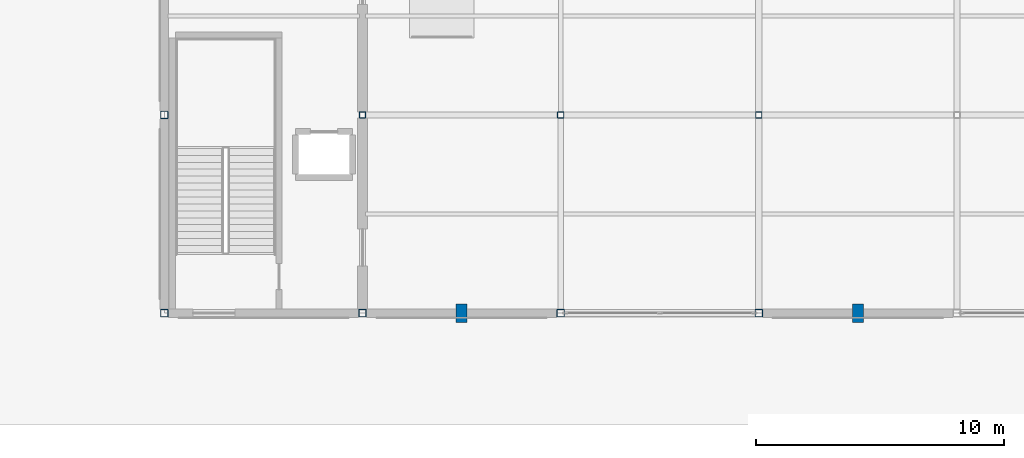
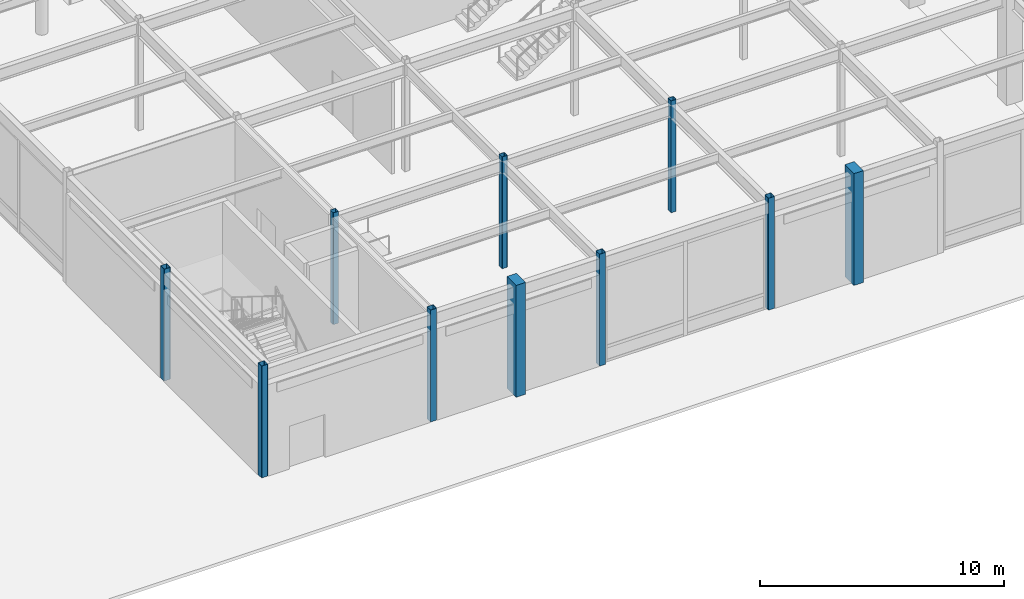
# One storey, part 1 of 128: 10 columns.
"""IFC4 building model written with IfcOpenShell, lengths in metres."""

from ifc_helpers import new_model, si_unit, direction, frame, origin, origin_2d, place, context, subcontext, project, spatial, rectangle, hollow_rectangle, extrude, material, material_profile, profile_set, type_object, element, save


model = new_model("IFC4")

# Units and contexts
model_context = context("Model", 3, precision=1e-05, world=origin(), true_north=direction((0.0, 1.0)))
body_context = subcontext(model_context, "Body", "Model", "MODEL_VIEW")
ifc_project = project(units=[si_unit("LENGTHUNIT", "METRE"), si_unit("AREAUNIT", "SQUARE_METRE"), si_unit("VOLUMEUNIT", "CUBIC_METRE"), si_unit("PLANEANGLEUNIT", "RADIAN"), si_unit("MASSUNIT", "GRAM", prefix="KILO")], contexts=[model_context])

# Site, building, storey
site_placement = place(None, origin())
site = spatial("IfcSite", under=ifc_project, at=site_placement, CompositionType="ELEMENT")
building_placement = place(site_placement, origin())
building = spatial("IfcBuilding", under=site, at=building_placement, Name="Solmirada Galleria", CompositionType="ELEMENT")
storey_placement = place(building_placement, origin())
storey = spatial("IfcBuildingStorey", under=building, at=storey_placement, Name="L00", CompositionType="ELEMENT", Elevation=0.0)

# Columns
ifc_material_1 = material(Name="Steel S355 / ASTM A500 Grade C", Category="steel")
ifc_material_profile_1 = material_profile(ifc_material_1, hollow_rectangle(XDim=0.25390625, YDim=0.25390625, WallThickness=0.0087890625, InnerFilletRadius=0.0087890625, OuterFilletRadius=0.017822265625, at=origin_2d()), Name="HSS10X10X3/8")
ifc_profile_set_1 = profile_set([ifc_material_profile_1], Name="Steel S355 / ASTM A500 Grade C")
column_type_1 = type_object("IfcColumnType", Name="COL-HSS10", PredefinedType="COLUMN", material=ifc_profile_set_1)
for number, where, z_axis, x_axis, name in (
    (1, (48.0, 8.0, 0.0), (0.0, 0.0, 1.0), (1.0, 0.0, 0.0), "Structural column L00-0084"),
    (2, (56.0, 8.0, 0.0), (0.0, 0.0, 1.0), (1.0, 0.0, 0.0), "Structural column L00-0151"),
    (3, (64.0, 8.0, 0.0), (0.0, 0.0, 1.0), (1.0, 0.0, 0.0), "Structural column L00-0218"),
):
    element("IfcColumn", number, at=place(storey_placement, frame(where, z_axis=z_axis, x_axis=x_axis)), inside=storey, type_object=column_type_1, Name=name, PredefinedType="COLUMN", context=body_context, shape_type="SweptSolid", body=[
        extrude(hollow_rectangle(XDim=0.25390625, YDim=0.25390625, WallThickness=0.0087890625, InnerFilletRadius=0.0087890625, OuterFilletRadius=0.017822265625, at=origin_2d()), origin(), (0.0, 0.0, 1.0), 5.60009765625),
    ])
ifc_material_profile_2 = material_profile(ifc_material_1, hollow_rectangle(XDim=0.304931640625, YDim=0.304931640625, WallThickness=0.01171875, InnerFilletRadius=0.01171875, OuterFilletRadius=0.023681640625, at=origin_2d()), Name="HSS12X12X1/2")
ifc_profile_set_2 = profile_set([ifc_material_profile_2], Name="Steel S355 / ASTM A500 Grade C")
column_type_2 = type_object("IfcColumnType", Name="COL-HSS12", PredefinedType="COLUMN", material=ifc_profile_set_2)
for number, where, z_axis, x_axis, name in (
    (4, (40.0, 0.0, 0.0), (0.0, 0.0, 1.0), (1.0, 0.0, 0.0), "Structural column L00-0018"),
    (5, (40.0, 8.0, 0.0), (0.0, 0.0, 1.0), (1.0, 0.0, 0.0), "Structural column L00-0021"),
    (6, (48.0, 0.0, 0.0), (0.0, 0.0, 1.0), (1.0, 0.0, 0.0), "Structural column L00-0081"),
    (7, (56.0, 0.0, 0.0), (0.0, 0.0, 1.0), (1.0, 0.0, 0.0), "Structural column L00-0148"),
    (8, (64.0, 0.0, 0.0), (0.0, 0.0, 1.0), (1.0, 0.0, 0.0), "Structural column L00-0215"),
):
    element("IfcColumn", number, at=place(storey_placement, frame(where, z_axis=z_axis, x_axis=x_axis)), inside=storey, type_object=column_type_2, Name=name, PredefinedType="COLUMN", context=body_context, shape_type="SweptSolid", body=[
        extrude(hollow_rectangle(XDim=0.304931640625, YDim=0.304931640625, WallThickness=0.01171875, InnerFilletRadius=0.01171875, OuterFilletRadius=0.023681640625, at=origin_2d()), origin(), (0.0, 0.0, 1.0), 5.60009765625),
    ])
ifc_material_2 = material(Name="Precast concrete C40/50", Category="concrete")
ifc_material_profile_3 = material_profile(ifc_material_2, rectangle(XDim=0.449951171875, YDim=0.75, at=origin_2d()), Name="RC750X450")
ifc_profile_set_3 = profile_set([ifc_material_profile_3], Name="Precast concrete C40/50")
column_type_3 = type_object("IfcColumnType", Name="PIL-RC750", PredefinedType="PILASTER", material=ifc_profile_set_3)
for number, where, z_axis, x_axis, name in (
    (9, (52.0, 0.0, 0.0), (0.0, 0.0, 1.0), (1.0, 0.0, 0.0), "Avenue pilaster L00-017"),
    (10, (68.0, 0.0, 0.0), (0.0, 0.0, 1.0), (1.0, 0.0, 0.0), "Avenue pilaster L00-020"),
):
    element("IfcColumn", number, at=place(storey_placement, frame(where, z_axis=z_axis, x_axis=x_axis)), inside=storey, type_object=column_type_3, Name=name, PredefinedType="PILASTER", context=body_context, shape_type="SweptSolid", body=[
        extrude(rectangle(XDim=0.449951171875, YDim=0.75, at=origin_2d()), origin(), (0.0, 0.0, 1.0), 5.60009765625),
    ])

save(model, "model.ifc")
